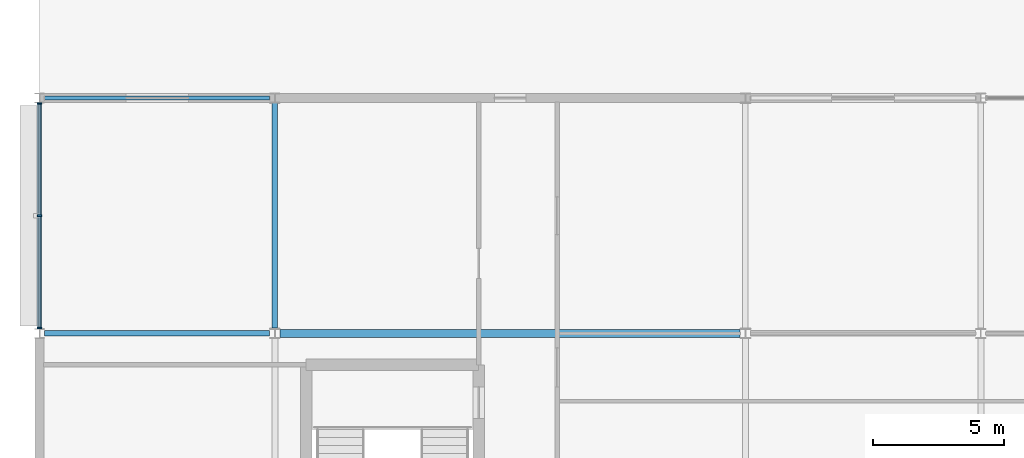
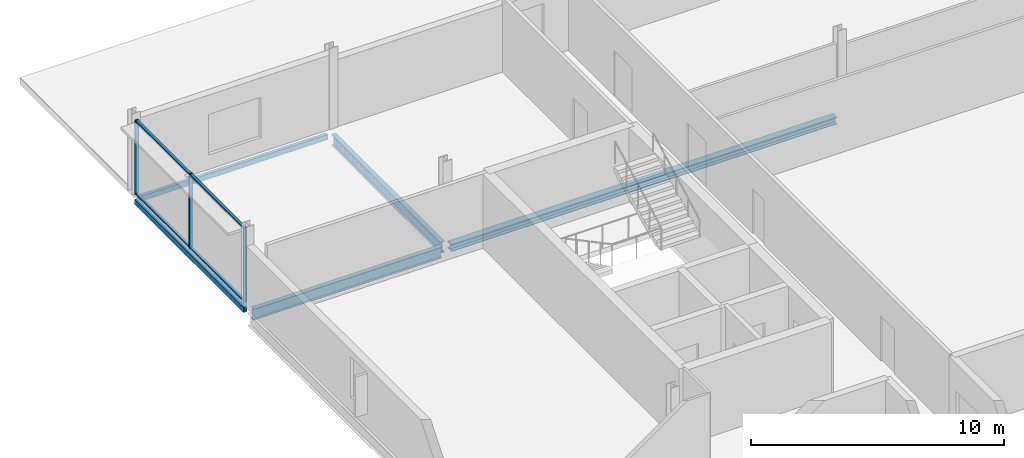
# One storey, part 31 of 105: 7 members, 5 beams, 1 element without a shape of its own.
"""IFC4 building model written with IfcOpenShell, lengths in metres."""

from ifc_helpers import new_model, si_unit, direction, frame, origin, origin_2d, place, context, subcontext, project, spatial, rectangle, hollow_rectangle, i_section, extrude, material, layer, layer_set, material_profile, profile_set, type_object, element, aggregate, save


model = new_model("IFC4")

# Units and contexts
model_context = context("Model", 3, precision=1e-05, world=origin(), true_north=direction((0.0, 1.0)))
body_context = subcontext(model_context, "Body", "Model", "MODEL_VIEW")
ifc_project = project(units=[si_unit("LENGTHUNIT", "METRE"), si_unit("AREAUNIT", "SQUARE_METRE"), si_unit("VOLUMEUNIT", "CUBIC_METRE"), si_unit("PLANEANGLEUNIT", "RADIAN"), si_unit("MASSUNIT", "GRAM", prefix="KILO")], contexts=[model_context])

# Site, building, storey
site_placement = place(None, origin())
site = spatial("IfcSite", under=ifc_project, at=site_placement, CompositionType="ELEMENT")
building_placement = place(site_placement, origin())
building = spatial("IfcBuilding", under=site, at=building_placement, Name="Kisiwana Market Hall", CompositionType="ELEMENT")
storey_placement = place(building_placement, frame((0.0, 0.0, 21.60009765625)))
storey = spatial("IfcBuildingStorey", under=building, at=storey_placement, Name="L04", CompositionType="ELEMENT", Elevation=21.60009765625)

# Beams
ifc_material_1 = material(Name="Steel S355", Category="steel")
ifc_material_profile_1 = material_profile(ifc_material_1, i_section(OverallWidth=0.209228515625, OverallDepth=0.533203125, WebThickness=0.010009765625, FlangeThickness=0.015625, at=origin_2d()), Name="UB 533x210x92")
ifc_profile_set_1 = profile_set([ifc_material_profile_1], Name="Steel S355")
beam_type_1 = type_object("IfcBeamType", Name="BM-GIRD-UB533", PredefinedType="BEAM", material=ifc_profile_set_1)
beam_1_placement = place(storey_placement, frame((0.198974609375, 102.0, -0.51171875), z_axis=(1.0, 0.0, 0.0), x_axis=(0.0, 1.0, 0.0)))
element("IfcBeam", 1, at=beam_1_placement, inside=storey, type_object=beam_type_1, Name="Floor beam B-1467", PredefinedType="BEAM", context=body_context, shape_type="SweptSolid", body=[
    extrude(i_section(OverallWidth=0.209228515625, OverallDepth=0.533203125, WebThickness=0.010009765625, FlangeThickness=0.015625, at=origin_2d()), origin(), (0.0, 0.0, 1.0), 8.60205078125),
])
beam_2_placement = place(storey_placement, frame((9.0, 102.2041015625, -0.51171875), z_axis=(0.0, 1.0, 0.0), x_axis=(-1.0, 0.0, 0.0)))
element("IfcBeam", 2, at=beam_2_placement, inside=storey, type_object=beam_type_1, Name="Primary girder B-1346", PredefinedType="BEAM", context=body_context, shape_type="SweptSolid", body=[
    extrude(i_section(OverallWidth=0.209228515625, OverallDepth=0.533203125, WebThickness=0.010009765625, FlangeThickness=0.015625, at=origin_2d()), origin(), (0.0, 0.0, 1.0), 8.60302734375),
])
ifc_material_2 = material(Name="Steel S355", Category="steel")
ifc_material_profile_2 = material_profile(ifc_material_2, i_section(OverallWidth=0.314453125, OverallDepth=0.33984375, WebThickness=0.01904296875, FlangeThickness=0.031494140625, at=origin_2d()), Name="UC 305x305x198")
ifc_profile_set_2 = profile_set([ifc_material_profile_2], Name="Steel S355")
beam_type_2 = type_object("IfcBeamType", Name="BM-SKYBR-CHORD", PredefinedType="BEAM", material=ifc_profile_set_2)
beam_3_placement = place(storey_placement, frame((9.198974609375, 102.0, -0.4150390625), z_axis=(1.0, 0.0, 0.0), x_axis=(0.0, 1.0, 0.0)))
element("IfcBeam", 3, at=beam_3_placement, inside=storey, type_object=beam_type_2, Name="Floor beam B-1468", PredefinedType="BEAM", context=body_context, shape_type="SweptSolid", body=[
    extrude(i_section(OverallWidth=0.314453125, OverallDepth=0.33984375, WebThickness=0.01904296875, FlangeThickness=0.031494140625, at=origin_2d()), origin(), (0.0, 0.0, 1.0), 17.60205078125),
])
ifc_material_3 = material(Name="Steel S355", Category="steel")
ifc_material_profile_3 = material_profile(ifc_material_3, hollow_rectangle(XDim=0.14990234375, YDim=0.25, WallThickness=0.010009765625, at=origin_2d()), Name="RHS 250x150x10.0")
ifc_profile_set_3 = profile_set([ifc_material_profile_3], Name="Steel S355")
beam_type_3 = type_object("IfcBeamType", Name="BM-SPAN-RHS250", PredefinedType="SPANDREL", material=ifc_profile_set_3)
beam_4_placement = place(storey_placement, frame((0.195556640625, 111.0, -0.4169921875), z_axis=(1.0, 0.0, 0.0), x_axis=(0.0, 1.0, 0.0)))
element("IfcBeam", 4, at=beam_4_placement, inside=storey, type_object=beam_type_3, Name="Floor beam B-1481", PredefinedType="SPANDREL", context=body_context, shape_type="SweptSolid", body=[
    extrude(hollow_rectangle(XDim=0.14990234375, YDim=0.25, WallThickness=0.010009765625, at=origin_2d()), origin(), (0.0, 0.0, 1.0), 8.60888671875),
])
beam_5_placement = place(storey_placement, frame((0.0, 102.2041015625, -0.3701171875), z_axis=(0.0, 1.0, 0.0), x_axis=(-1.0, 0.0, 0.0)))
element("IfcBeam", 5, at=beam_5_placement, inside=storey, type_object=beam_type_3, Name="Floor beam B-1494", PredefinedType="SPANDREL", context=body_context, shape_type="SweptSolid", body=[
    extrude(hollow_rectangle(XDim=0.14990234375, YDim=0.25, WallThickness=0.010009765625, at=origin_2d()), origin(), (0.0, 0.0, 1.0), 8.60302734375),
])

# Curtain wall, members
ifc_material_4 = material(Name="Double-glazed solar-control low-E IGU", Category="glass")
ifc_layer = layer(ifc_material_4, 0.159912109375)
ifc_layer_set = layer_set([ifc_layer], Name="CW-ZNA-EW-8200")
curtain_wall_type = type_object("IfcCurtainWallType", Name="CW-ZNA-EW-8200", PredefinedType="USERDEFINED", material=ifc_layer_set)
curtain_wall_placement = place(storey_placement, origin())
curtain_wall = element("IfcCurtainWall", 6, at=curtain_wall_placement, inside=storey, type_object=curtain_wall_type, Name="Unitised curtain wall CW-119 (L04)", ObjectType="UNITISED CURTAIN WALL", PredefinedType="USERDEFINED")
ifc_material_5 = material(Name="Aluminium alloy 6063-T6", Category="aluminium")
ifc_material_profile_4 = material_profile(ifc_material_5, rectangle(XDim=0.06005859375, YDim=0.159912109375, at=origin_2d()), Name="ALU MULLION 60x160")
ifc_profile_set_4 = profile_set([ifc_material_profile_4], Name="Aluminium alloy 6063-T6")
member_type_1 = type_object("IfcMemberType", Name="CW-MULL-60x160", PredefinedType="MULLION", material=ifc_profile_set_4)
member_1_placement = place(storey_placement, frame((0.0, 102.214111328125, 0.0), z_axis=(0.0, 0.0, 1.0), x_axis=(0.0, 1.0, 0.0)))
member_1 = element("IfcMember", 7, at=member_1_placement, type_object=member_type_1, Name="CW-119 mullion 1", PredefinedType="MULLION", context=body_context, shape_type="SweptSolid", body=[
    extrude(rectangle(XDim=0.06005859375, YDim=0.159912109375, at=origin_2d()), origin(), (0.0, 0.0, 1.0), 3.5849609375),
])
member_2_placement = place(storey_placement, frame((0.0, 106.5, 0.0), z_axis=(0.0, 0.0, 1.0), x_axis=(0.0, 1.0, 0.0)))
member_2 = element("IfcMember", 8, at=member_2_placement, type_object=member_type_1, Name="CW-119 mullion 2", PredefinedType="MULLION", context=body_context, shape_type="SweptSolid", body=[
    extrude(rectangle(XDim=0.06005859375, YDim=0.159912109375, at=origin_2d()), origin(), (0.0, 0.0, 1.0), 3.5849609375),
])
member_3_placement = place(storey_placement, frame((0.0, 110.785888671875, 0.0), z_axis=(0.0, 0.0, 1.0), x_axis=(0.0, 1.0, 0.0)))
member_3 = element("IfcMember", 9, at=member_3_placement, type_object=member_type_1, Name="CW-119 mullion 3", PredefinedType="MULLION", context=body_context, shape_type="SweptSolid", body=[
    extrude(rectangle(XDim=0.06005859375, YDim=0.159912109375, at=origin_2d()), origin(), (0.0, 0.0, 1.0), 3.5849609375),
])
ifc_material_6 = material(Name="Aluminium alloy 6063-T6", Category="aluminium")
ifc_material_profile_5 = material_profile(ifc_material_6, rectangle(XDim=0.1201171875, YDim=0.06005859375, at=origin_2d()), Name="ALU TRANSOM 60x120")
ifc_profile_set_5 = profile_set([ifc_material_profile_5], Name="Aluminium alloy 6063-T6")
member_type_2 = type_object("IfcMemberType", Name="CW-TRAN-60x120", PredefinedType="USERDEFINED", material=ifc_profile_set_5)
member_4_placement = place(storey_placement, frame((0.0, 102.244140625, 0.02978515625), z_axis=(0.0, 1.0, 0.0), x_axis=(-1.0, 0.0, 0.0)))
member_4 = element("IfcMember", 10, at=member_4_placement, type_object=member_type_2, Name="CW-119 transom 1.1", ObjectType="TRANSOM", PredefinedType="USERDEFINED", context=body_context, shape_type="SweptSolid", body=[
    extrude(rectangle(XDim=0.1201171875, YDim=0.06005859375, at=origin_2d()), origin(), (0.0, 0.0, 1.0), 4.225830078125),
])
member_5_placement = place(storey_placement, frame((0.0, 102.244140625, 3.554931640625), z_axis=(0.0, 1.0, 0.0), x_axis=(-1.0, 0.0, 0.0)))
member_5 = element("IfcMember", 11, at=member_5_placement, type_object=member_type_2, Name="CW-119 transom 1.2", ObjectType="TRANSOM", PredefinedType="USERDEFINED", context=body_context, shape_type="SweptSolid", body=[
    extrude(rectangle(XDim=0.1201171875, YDim=0.06005859375, at=origin_2d()), origin(), (0.0, 0.0, 1.0), 4.225830078125),
])
member_6_placement = place(storey_placement, frame((0.0, 106.530029296875, 0.02978515625), z_axis=(0.0, 1.0, 0.0), x_axis=(-1.0, 0.0, 0.0)))
member_6 = element("IfcMember", 12, at=member_6_placement, type_object=member_type_2, Name="CW-119 transom 2.1", ObjectType="TRANSOM", PredefinedType="USERDEFINED", context=body_context, shape_type="SweptSolid", body=[
    extrude(rectangle(XDim=0.1201171875, YDim=0.06005859375, at=origin_2d()), origin(), (0.0, 0.0, 1.0), 4.225830078125),
])
member_7_placement = place(storey_placement, frame((0.0, 106.530029296875, 3.554931640625), z_axis=(0.0, 1.0, 0.0), x_axis=(-1.0, 0.0, 0.0)))
member_7 = element("IfcMember", 13, at=member_7_placement, type_object=member_type_2, Name="CW-119 transom 2.2", ObjectType="TRANSOM", PredefinedType="USERDEFINED", context=body_context, shape_type="SweptSolid", body=[
    extrude(rectangle(XDim=0.1201171875, YDim=0.06005859375, at=origin_2d()), origin(), (0.0, 0.0, 1.0), 4.225830078125),
])
aggregate(curtain_wall, [member_1, member_2, member_3, member_4, member_5, member_6, member_7])

save(model, "model.ifc")
